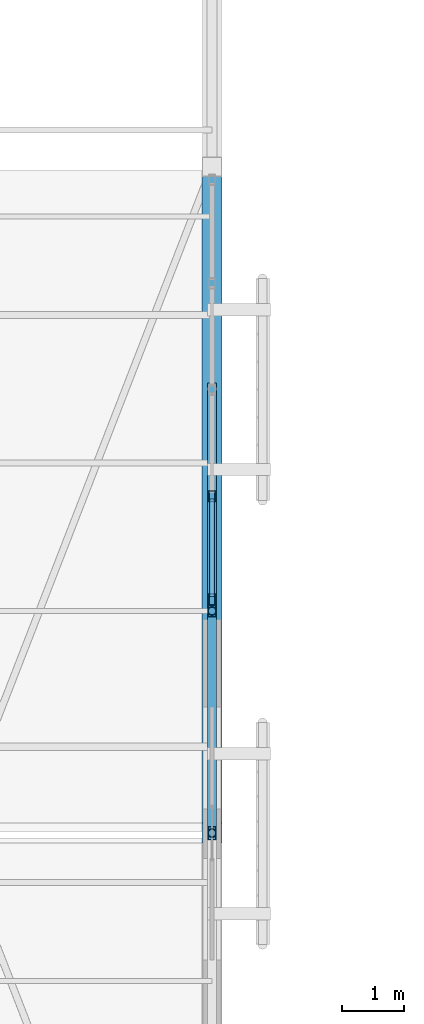
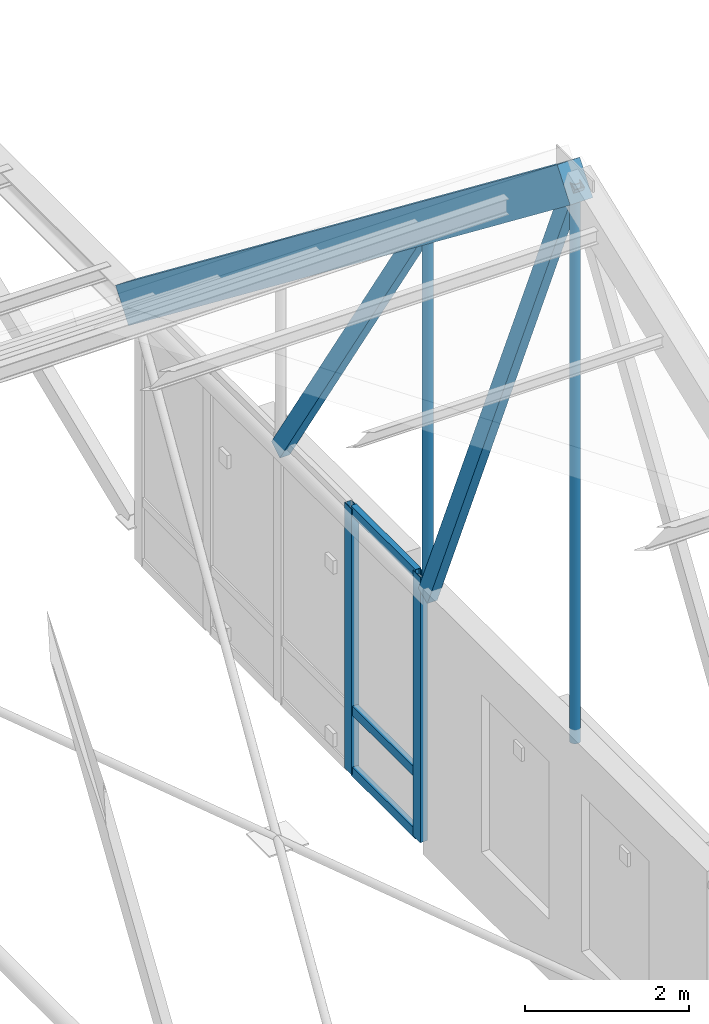
# One storey, part 131 of 217: 10 members, 1 element without a shape of its own.
"""IFC4 building model written with IfcOpenShell, lengths in metres."""

from ifc_helpers import new_model, si_unit, direction, frame, origin, origin_2d, place, context, subcontext, project, spatial, rectangle, hollow_rectangle, hollow_circle, extrude, material, layer, layer_set, material_profile, profile_set, type_object, element, aggregate, save


model = new_model("IFC4")

# Units and contexts
model_context = context("Model", 3, precision=1e-05, world=origin(), true_north=direction((0.0, 1.0)))
body_context = subcontext(model_context, "Body", "Model", "MODEL_VIEW")
ifc_project = project(units=[si_unit("LENGTHUNIT", "METRE"), si_unit("AREAUNIT", "SQUARE_METRE"), si_unit("VOLUMEUNIT", "CUBIC_METRE"), si_unit("PLANEANGLEUNIT", "RADIAN"), si_unit("MASSUNIT", "GRAM", prefix="KILO")], contexts=[model_context])

# Site, building, storey
site_placement = place(None, origin())
site = spatial("IfcSite", under=ifc_project, at=site_placement, CompositionType="ELEMENT")
building_placement = place(site_placement, origin())
building = spatial("IfcBuilding", under=site, at=building_placement, Name="Mazaris Harbour Polytechnic", CompositionType="ELEMENT")
storey_placement = place(building_placement, frame((0.0, 0.0, 9.60009765625)))
storey = spatial("IfcBuildingStorey", under=building, at=storey_placement, Name="L02", CompositionType="ELEMENT", Elevation=9.60009765625)

# Curtain wall, members
ifc_material_1 = material(Name="Anodised Bronze Aluminium and Low-E Glass", Category="aluminium")
ifc_layer = layer(ifc_material_1, 0.14990234375, Name="Anodised Bronze Aluminium and Low-E Glass")
ifc_layer_set = layer_set([ifc_layer], Name="Anodised Bronze Aluminium and Low-E Glass")
curtain_wall_type = type_object("IfcCurtainWallType", Name="Workshop Clerestory Curtain Wall", PredefinedType="NOTDEFINED", material=ifc_layer_set)
curtain_wall_placement = place(storey_placement, origin())
curtain_wall = element("IfcCurtainWall", 1, at=curtain_wall_placement, inside=storey, type_object=curtain_wall_type, Name="V1 L02 Curtain Wall 36", PredefinedType="NOTDEFINED")
ifc_material_2 = material(Name="Anodised Bronze Steel S355", Category="steel")
ifc_material_profile_1 = material_profile(ifc_material_2, hollow_rectangle(XDim=0.10009765625, YDim=0.179931640625, WallThickness=0.008056640625, at=origin_2d()), Name="RHS 100x180x8.0")
ifc_profile_set_1 = profile_set([ifc_material_profile_1], Name="Anodised Bronze Steel S355")
member_type_1 = type_object("IfcMemberType", Name="Curtain Mullion RHS100x180", PredefinedType="MULLION", material=ifc_profile_set_1)
member_1_placement = place(storey_placement, frame((112.800048828125, 102.66357421875, 0.0), z_axis=(0.0, 0.0, 1.0), x_axis=(1.0, 0.0, 0.0)))
member_1 = element("IfcMember", 2, at=member_1_placement, type_object=member_type_1, Name="CW-04 mullion 4", PredefinedType="MULLION", context=body_context, shape_type="SweptSolid", body=[
    extrude(hollow_rectangle(XDim=0.10009765625, YDim=0.179931640625, WallThickness=0.008056640625, at=origin_2d()), origin(), (0.0, 0.0, 1.0), 3.9599609375),
])
member_2_placement = place(storey_placement, frame((112.800048828125, 100.987060546875, 0.0), z_axis=(0.0, 0.0, 1.0), x_axis=(1.0, 0.0, 0.0)))
member_2 = element("IfcMember", 3, at=member_2_placement, type_object=member_type_1, Name="CW-04 mullion 5", PredefinedType="MULLION", context=body_context, shape_type="SweptSolid", body=[
    extrude(hollow_rectangle(XDim=0.10009765625, YDim=0.179931640625, WallThickness=0.008056640625, at=origin_2d()), origin(), (0.0, 0.0, 1.0), 3.9599609375),
])
ifc_material_3 = material(Name="Anodised Bronze Steel S355", Category="steel")
ifc_material_profile_2 = material_profile(ifc_material_3, hollow_rectangle(XDim=0.080078125, YDim=0.139892578125, WallThickness=0.00634765625, at=origin_2d()), Name="RHS 80x140x6.3")
ifc_profile_set_2 = profile_set([ifc_material_profile_2], Name="Anodised Bronze Steel S355")
member_type_2 = type_object("IfcMemberType", Name="Curtain Transom RHS80x140", PredefinedType="USERDEFINED", material=ifc_profile_set_2)
member_3_placement = place(storey_placement, frame((112.800048828125, 102.613525390625, 0.039794921875), z_axis=(0.0, -1.0, 0.0), x_axis=(1.0, 0.0, 0.0)))
member_3 = element("IfcMember", 4, at=member_3_placement, type_object=member_type_2, Name="CW-04 transom 4.1", ObjectType="TRANSOM", PredefinedType="USERDEFINED", context=body_context, shape_type="SweptSolid", body=[
    extrude(hollow_rectangle(XDim=0.080078125, YDim=0.139892578125, WallThickness=0.00634765625, at=origin_2d()), origin(), (0.0, 0.0, 1.0), 1.576416015625),
])
member_4_placement = place(storey_placement, frame((112.800048828125, 102.613525390625, 0.949951171875), z_axis=(0.0, -1.0, 0.0), x_axis=(1.0, 0.0, 0.0)))
member_4 = element("IfcMember", 5, at=member_4_placement, type_object=member_type_2, Name="CW-04 transom 4.2", ObjectType="TRANSOM", PredefinedType="USERDEFINED", context=body_context, shape_type="SweptSolid", body=[
    extrude(hollow_rectangle(XDim=0.080078125, YDim=0.139892578125, WallThickness=0.00634765625, at=origin_2d()), origin(), (0.0, 0.0, 1.0), 1.576416015625),
])
member_5_placement = place(storey_placement, frame((112.800048828125, 102.613525390625, 3.919921875), z_axis=(0.0, -1.0, 0.0), x_axis=(1.0, 0.0, 0.0)))
member_5 = element("IfcMember", 6, at=member_5_placement, type_object=member_type_2, Name="CW-04 transom 4.3", ObjectType="TRANSOM", PredefinedType="USERDEFINED", context=body_context, shape_type="SweptSolid", body=[
    extrude(hollow_rectangle(XDim=0.080078125, YDim=0.139892578125, WallThickness=0.00634765625, at=origin_2d()), origin(), (0.0, 0.0, 1.0), 1.576416015625),
])
aggregate(curtain_wall, [member_1, member_2, member_3, member_4, member_5])

# Members
ifc_material_4 = material(Name="Glulam GL32h", Category="wood")
ifc_material_profile_3 = material_profile(ifc_material_4, rectangle(XDim=0.320068359375, YDim=0.52001953125, at=origin_2d()), Name="RECT320x520")
ifc_profile_set_3 = profile_set([ifc_material_profile_3], Name="Glulam GL32h")
member_type_3 = type_object("IfcMemberType", Name="Glulam Top Chord 320x520", PredefinedType="CHORD", material=ifc_profile_set_3)
member_6_placement = place(storey_placement, frame((112.800048828125, 97.199951171875, 12.099853515625), z_axis=(0.0, 0.791130406401, -0.611647512926), x_axis=(-1.0, 0.0, 0.0)))
element("IfcMember", 7, at=member_6_placement, inside=storey, type_object=member_type_3, Name="Truss 8 North Glulam Top Chord", PredefinedType="CHORD", context=body_context, shape_type="SweptSolid", body=[
    extrude(rectangle(XDim=0.320068359375, YDim=0.52001953125, at=origin_2d()), origin(), (0.0, 0.0, 1.0), 13.6513671875),
])
ifc_material_5 = material(Name="Steel S355", Category="steel")
ifc_material_profile_4 = material_profile(ifc_material_5, hollow_rectangle(XDim=0.139892578125, YDim=0.239990234375, WallThickness=0.010009765625, at=origin_2d()), Name="RHS 140x240x10.0")
ifc_profile_set_4 = profile_set([ifc_material_profile_4], Name="Steel S355")
member_type_4 = type_object("IfcMemberType", Name="Steel Truss Diagonal RHS140x240", PredefinedType="BRACE", material=ifc_profile_set_4)
member_7_placement = place(storey_placement, frame((112.800048828125, 100.800048828125, 3.75), z_axis=(0.0, -0.395924210908, 0.918283191187), x_axis=(1.0, 0.0, 0.0)))
element("IfcMember", 8, at=member_7_placement, inside=storey, type_object=member_type_4, Name="Truss 8 Web Diagonal N1", PredefinedType="BRACE", context=body_context, shape_type="SweptSolid", body=[
    extrude(hollow_rectangle(XDim=0.139892578125, YDim=0.239990234375, WallThickness=0.010009765625, at=origin_2d()), origin(), (0.0, 0.0, 1.0), 9.093017578125),
])
member_8_placement = place(storey_placement, frame((112.800048828125, 104.39990234375, 3.75), z_axis=(0.0, -0.543028315091, 0.839714385377), x_axis=(1.0, 0.0, 0.0)))
element("IfcMember", 9, at=member_8_placement, inside=storey, type_object=member_type_4, Name="Truss 8 Web Diagonal N2", PredefinedType="BRACE", context=body_context, shape_type="SweptSolid", body=[
    extrude(hollow_rectangle(XDim=0.139892578125, YDim=0.239990234375, WallThickness=0.010009765625, at=origin_2d()), origin(), (0.0, 0.0, 1.0), 6.629150390625),
])
ifc_material_6 = material(Name="Steel S355", Category="steel")
ifc_material_profile_5 = material_profile(ifc_material_6, hollow_circle(Radius=0.06982421875, WallThickness=0.008056640625, at=origin_2d()), Name="CHS 139.7x8.0")
ifc_profile_set_5 = profile_set([ifc_material_profile_5], Name="Steel S355")
member_type_5 = type_object("IfcMemberType", Name="Steel Truss Strut CHS139", PredefinedType="STRUT", material=ifc_profile_set_5)
member_9_placement = place(storey_placement, frame((112.800048828125, 97.199951171875, 3.75), z_axis=(0.0, 0.0, 1.0), x_axis=(1.0, 0.0, 0.0)))
element("IfcMember", 10, at=member_9_placement, inside=storey, type_object=member_type_5, Name="Truss 8 Web Post S4", PredefinedType="STRUT", context=body_context, shape_type="SweptSolid", body=[
    extrude(hollow_circle(Radius=0.06982421875, WallThickness=0.008056640625, at=origin_2d()), origin(), (0.0, 0.0, 1.0), 8.349853515625),
])
member_10_placement = place(storey_placement, frame((112.800048828125, 100.800048828125, 3.75), z_axis=(0.0, 0.0, 1.0), x_axis=(1.0, 0.0, 0.0)))
element("IfcMember", 11, at=member_10_placement, inside=storey, type_object=member_type_5, Name="Truss 8 Web Post N1", PredefinedType="STRUT", context=body_context, shape_type="SweptSolid", body=[
    extrude(hollow_circle(Radius=0.06982421875, WallThickness=0.008056640625, at=origin_2d()), origin(), (0.0, 0.0, 1.0), 5.566650390625),
])

save(model, "model.ifc")
